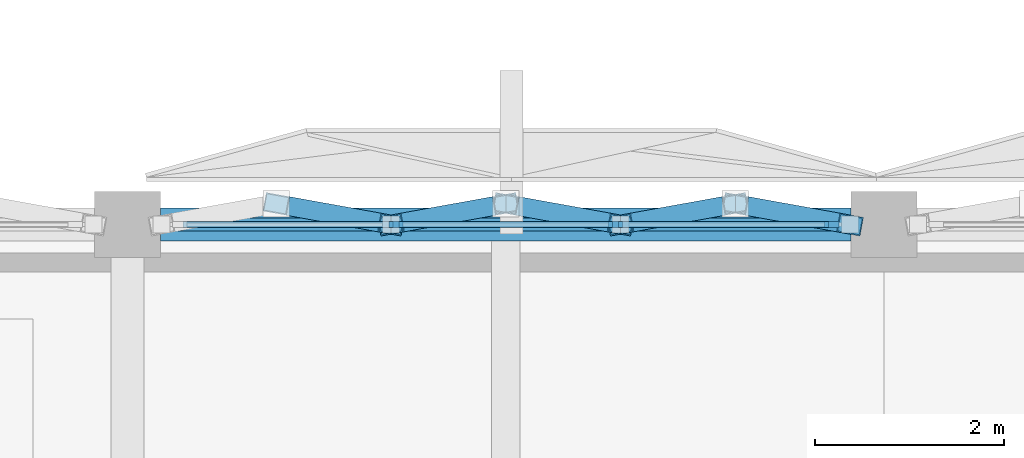
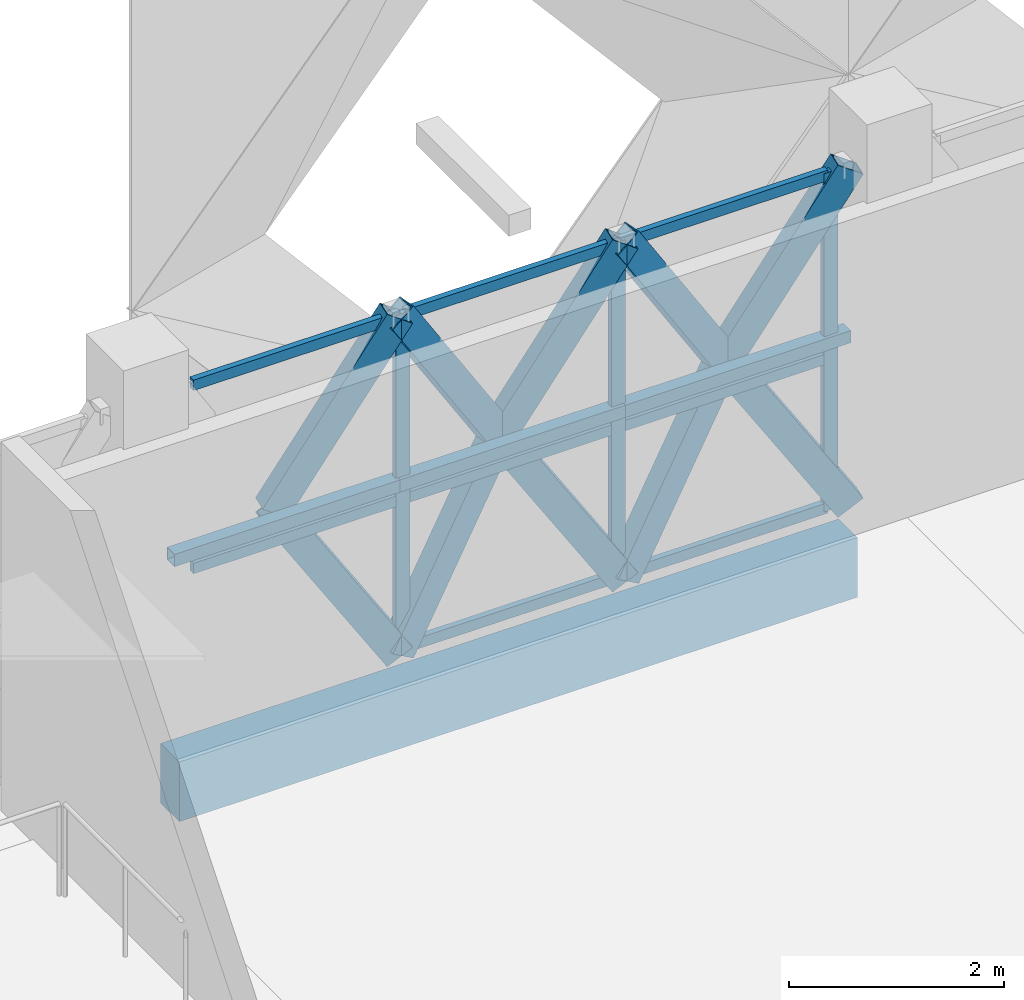
# One storey, part 10 of 37: 24 members, 1 beam, 1 element without a shape of its own.
"""IFC4 building model written with IfcOpenShell, lengths in metres."""

from ifc_helpers import new_model, si_unit, direction, frame, origin, origin_2d, place, context, subcontext, project, spatial, rectangle, hollow_rectangle, extrude, material, layer, layer_set, material_profile, profile_set, type_object, element, aggregate, save


model = new_model("IFC4")

# Units and contexts
model_context = context("Model", 3, precision=1e-05, world=origin(), true_north=direction((0.0, 1.0)))
body_context = subcontext(model_context, "Body", "Model", "MODEL_VIEW")
ifc_project = project(units=[si_unit("LENGTHUNIT", "METRE"), si_unit("AREAUNIT", "SQUARE_METRE"), si_unit("VOLUMEUNIT", "CUBIC_METRE"), si_unit("PLANEANGLEUNIT", "RADIAN"), si_unit("MASSUNIT", "GRAM", prefix="KILO")], contexts=[model_context])

# Site, building, storey
site_placement = place(None, origin())
site = spatial("IfcSite", under=ifc_project, at=site_placement, CompositionType="ELEMENT")
building_placement = place(site_placement, origin())
building = spatial("IfcBuilding", under=site, at=building_placement, Name="Qorikala Patio Media Centre", CompositionType="ELEMENT")
storey_placement = place(building_placement, frame((0.0, 0.0, 14.39990234375)))
storey = spatial("IfcBuildingStorey", under=building, at=storey_placement, Name="L03", CompositionType="ELEMENT", Elevation=14.39990234375)

# Members
ifc_material_1 = material(Name="Golden Bronze Coated Steel S355", Category="steel")
ifc_material_profile_1 = material_profile(ifc_material_1, hollow_rectangle(XDim=0.139892578125, YDim=0.139892578125, WallThickness=0.006103515625, at=origin_2d()), Name="HSS140X140X6")
ifc_profile_set_1 = profile_set([ifc_material_profile_1], Name="Golden Bronze Coated Steel S355")
member_type_1 = type_object("IfcMemberType", Name="BRACE-DIA140", PredefinedType="BRACE", material=ifc_profile_set_1)
member_1_placement = place(storey_placement, frame((59.360107421875, 27.0, 1.925048828125), z_axis=(1.0, 0.0, 0.0), x_axis=(0.0, 1.0, 0.0)))
element("IfcMember", 1, at=member_1_placement, inside=storey, type_object=member_type_1, Name="L03 Diamond Fold Tie 094", PredefinedType="BRACE", context=body_context, shape_type="SweptSolid", body=[
    extrude(hollow_rectangle(XDim=0.139892578125, YDim=0.139892578125, WallThickness=0.006103515625, at=origin_2d()), origin(), (0.0, 0.0, 1.0), 2.426513671875),
])
member_2_placement = place(storey_placement, frame((61.78662109375, 27.0, 1.925048828125), z_axis=(1.0, 0.0, 0.0), x_axis=(0.0, 1.0, 0.0)))
element("IfcMember", 2, at=member_2_placement, inside=storey, type_object=member_type_1, Name="L03 Diamond Fold Tie 095", PredefinedType="BRACE", context=body_context, shape_type="SweptSolid", body=[
    extrude(hollow_rectangle(XDim=0.139892578125, YDim=0.139892578125, WallThickness=0.006103515625, at=origin_2d()), origin(), (0.0, 0.0, 1.0), 2.4267578125),
])
member_3_placement = place(storey_placement, frame((64.21337890625, 27.0, 1.925048828125), z_axis=(1.0, 0.0, 0.0), x_axis=(0.0, 1.0, 0.0)))
element("IfcMember", 3, at=member_3_placement, inside=storey, type_object=member_type_1, Name="L03 Diamond Fold Tie 096", PredefinedType="BRACE", context=body_context, shape_type="SweptSolid", body=[
    extrude(hollow_rectangle(XDim=0.139892578125, YDim=0.139892578125, WallThickness=0.006103515625, at=origin_2d()), origin(), (0.0, 0.0, 1.0), 2.426513671875),
])

# Curtain wall, members
ifc_material_2 = material(Name="Golden Bronze Anodised Aluminium and Low-E Glass", Category="aluminium")
ifc_layer = layer(ifc_material_2, 0.159912109375)
ifc_layer_set = layer_set([ifc_layer], Name="Golden Bronze Anodised Aluminium and Low-E Glass")
curtain_wall_type = type_object("IfcCurtainWallType", Name="CW-DIA-696X385", PredefinedType="USERDEFINED", material=ifc_layer_set)
curtain_wall_placement = place(storey_placement, origin())
curtain_wall = element("IfcCurtainWall", 4, at=curtain_wall_placement, inside=storey, type_object=curtain_wall_type, Name="L03 Courtyard Curtain Wall 073", ObjectType="COURTYARD CURTAIN WALL", PredefinedType="USERDEFINED")
ifc_material_3 = material(Name="Golden Bronze Anodised Aluminium", Category="aluminium")
ifc_material_profile_2 = material_profile(ifc_material_3, rectangle(XDim=0.06494140625, YDim=0.14990234375, at=origin_2d()), Name="ALU MULLION 65x150")
ifc_profile_set_2 = profile_set([ifc_material_profile_2], Name="Golden Bronze Anodised Aluminium")
member_type_2 = type_object("IfcMemberType", Name="CWM-65X150", PredefinedType="MULLION", material=ifc_profile_set_2)
member_4_placement = place(storey_placement, frame((61.840087890625, 27.0, 0.0), z_axis=(0.0, 0.0, 1.0), x_axis=(0.0, 1.0, 0.0)))
member_4 = element("IfcMember", 5, at=member_4_placement, type_object=member_type_2, Name="CWD696385 mullion 2", PredefinedType="MULLION", context=body_context, shape_type="SweptSolid", body=[
    extrude(rectangle(XDim=0.06494140625, YDim=0.14990234375, at=origin_2d()), origin(), (0.0, 0.0, 1.0), 3.85009765625),
])
member_5_placement = place(storey_placement, frame((64.159912109375, 27.0, 0.0), z_axis=(0.0, 0.0, 1.0), x_axis=(0.0, 1.0, 0.0)))
member_5 = element("IfcMember", 6, at=member_5_placement, type_object=member_type_2, Name="CWD696385 mullion 3", PredefinedType="MULLION", context=body_context, shape_type="SweptSolid", body=[
    extrude(rectangle(XDim=0.06494140625, YDim=0.14990234375, at=origin_2d()), origin(), (0.0, 0.0, 1.0), 3.85009765625),
])
member_6_placement = place(storey_placement, frame((66.447509765625, 27.0, 0.0), z_axis=(0.0, 0.0, 1.0), x_axis=(0.0, 1.0, 0.0)))
member_6 = element("IfcMember", 7, at=member_6_placement, type_object=member_type_2, Name="CWD696385 mullion 4", PredefinedType="MULLION", context=body_context, shape_type="SweptSolid", body=[
    extrude(rectangle(XDim=0.06494140625, YDim=0.14990234375, at=origin_2d()), origin(), (0.0, 0.0, 1.0), 3.85009765625),
])
ifc_material_profile_3 = material_profile(ifc_material_3, rectangle(XDim=0.06494140625, YDim=0.1201171875, at=origin_2d()), Name="ALU TRANSOM 65x120")
ifc_profile_set_3 = profile_set([ifc_material_profile_3], Name="Golden Bronze Anodised Aluminium")
member_type_3 = type_object("IfcMemberType", Name="CWT-65X120", PredefinedType="USERDEFINED", material=ifc_profile_set_3)
member_7_placement = place(storey_placement, frame((59.5849609375, 27.0, 1.732666015625), z_axis=(1.0, 0.0, 0.0), x_axis=(0.0, 1.0, 0.0)))
member_7 = element("IfcMember", 8, at=member_7_placement, type_object=member_type_3, Name="CWD696385 transom 1.2", ObjectType="TRANSOM", PredefinedType="USERDEFINED", context=body_context, shape_type="SweptSolid", body=[
    extrude(rectangle(XDim=0.06494140625, YDim=0.1201171875, at=origin_2d()), origin(), (0.0, 0.0, 1.0), 2.22265625),
])
member_8_placement = place(storey_placement, frame((59.5849609375, 27.0, 3.817626953125), z_axis=(1.0, 0.0, 0.0), x_axis=(0.0, 1.0, 0.0)))
member_8 = element("IfcMember", 9, at=member_8_placement, type_object=member_type_3, Name="CWD696385 transom 1.3", ObjectType="TRANSOM", PredefinedType="USERDEFINED", context=body_context, shape_type="SweptSolid", body=[
    extrude(rectangle(XDim=0.06494140625, YDim=0.1201171875, at=origin_2d()), origin(), (0.0, 0.0, 1.0), 2.22265625),
])
member_9_placement = place(storey_placement, frame((61.87255859375, 27.0, 0.03271484375), z_axis=(1.0, 0.0, 0.0), x_axis=(0.0, 1.0, 0.0)))
member_9 = element("IfcMember", 10, at=member_9_placement, type_object=member_type_3, Name="CWD696385 transom 2.1", ObjectType="TRANSOM", PredefinedType="USERDEFINED", context=body_context, shape_type="SweptSolid", body=[
    extrude(rectangle(XDim=0.06494140625, YDim=0.1201171875, at=origin_2d()), origin(), (0.0, 0.0, 1.0), 2.2548828125),
])
member_10_placement = place(storey_placement, frame((61.87255859375, 27.0, 1.732666015625), z_axis=(1.0, 0.0, 0.0), x_axis=(0.0, 1.0, 0.0)))
member_10 = element("IfcMember", 11, at=member_10_placement, type_object=member_type_3, Name="CWD696385 transom 2.2", ObjectType="TRANSOM", PredefinedType="USERDEFINED", context=body_context, shape_type="SweptSolid", body=[
    extrude(rectangle(XDim=0.06494140625, YDim=0.1201171875, at=origin_2d()), origin(), (0.0, 0.0, 1.0), 2.2548828125),
])
member_11_placement = place(storey_placement, frame((61.87255859375, 27.0, 3.817626953125), z_axis=(1.0, 0.0, 0.0), x_axis=(0.0, 1.0, 0.0)))
member_11 = element("IfcMember", 12, at=member_11_placement, type_object=member_type_3, Name="CWD696385 transom 2.3", ObjectType="TRANSOM", PredefinedType="USERDEFINED", context=body_context, shape_type="SweptSolid", body=[
    extrude(rectangle(XDim=0.06494140625, YDim=0.1201171875, at=origin_2d()), origin(), (0.0, 0.0, 1.0), 2.2548828125),
])
member_12_placement = place(storey_placement, frame((64.1923828125, 27.0, 0.03271484375), z_axis=(1.0, 0.0, 0.0), x_axis=(0.0, 1.0, 0.0)))
member_12 = element("IfcMember", 13, at=member_12_placement, type_object=member_type_3, Name="CWD696385 transom 3.1", ObjectType="TRANSOM", PredefinedType="USERDEFINED", context=body_context, shape_type="SweptSolid", body=[
    extrude(rectangle(XDim=0.06494140625, YDim=0.1201171875, at=origin_2d()), origin(), (0.0, 0.0, 1.0), 2.22265625),
])
member_13_placement = place(storey_placement, frame((64.1923828125, 27.0, 1.732666015625), z_axis=(1.0, 0.0, 0.0), x_axis=(0.0, 1.0, 0.0)))
member_13 = element("IfcMember", 14, at=member_13_placement, type_object=member_type_3, Name="CWD696385 transom 3.2", ObjectType="TRANSOM", PredefinedType="USERDEFINED", context=body_context, shape_type="SweptSolid", body=[
    extrude(rectangle(XDim=0.06494140625, YDim=0.1201171875, at=origin_2d()), origin(), (0.0, 0.0, 1.0), 2.22265625),
])
member_14_placement = place(storey_placement, frame((64.1923828125, 27.0, 3.817626953125), z_axis=(1.0, 0.0, 0.0), x_axis=(0.0, 1.0, 0.0)))
member_14 = element("IfcMember", 15, at=member_14_placement, type_object=member_type_3, Name="CWD696385 transom 3.3", ObjectType="TRANSOM", PredefinedType="USERDEFINED", context=body_context, shape_type="SweptSolid", body=[
    extrude(rectangle(XDim=0.06494140625, YDim=0.1201171875, at=origin_2d()), origin(), (0.0, 0.0, 1.0), 2.22265625),
])
aggregate(curtain_wall, [member_4, member_5, member_6, member_7, member_8, member_9, member_10, member_11, member_12, member_13, member_14])

# Beam
ifc_material_4 = material(Name="Concrete C35/45", Category="concrete")
ifc_material_profile_4 = material_profile(ifc_material_4, rectangle(XDim=0.35009765625, YDim=0.679931640625, at=origin_2d()), Name="RC 350x680")
ifc_profile_set_4 = profile_set([ifc_material_profile_4], Name="Concrete C35/45")
beam_type = type_object("IfcBeamType", Name="SP-350X680", PredefinedType="SPANDREL", material=ifc_profile_set_4)
beam_placement = place(storey_placement, frame((59.35009765625, 27.0, -0.639892578125), z_axis=(1.0, 0.0, 0.0), x_axis=(0.0, 1.0, 0.0)))
element("IfcBeam", 16, at=beam_placement, inside=storey, type_object=beam_type, Name="L03 Grid 27 Beam 1141", PredefinedType="SPANDREL", context=body_context, shape_type="SweptSolid", body=[
    extrude(rectangle(XDim=0.35009765625, YDim=0.679931640625, at=origin_2d()), origin(), (0.0, 0.0, 1.0), 7.2998046875),
])

# Members
ifc_material_profile_5 = material_profile(ifc_material_1, hollow_rectangle(XDim=0.199951171875, YDim=0.300048828125, WallThickness=0.011962890625, at=origin_2d()), Name="HSS300X200X12")
ifc_profile_set_5 = profile_set([ifc_material_profile_5], Name="Golden Bronze Coated Steel S355")
member_type_4 = type_object("IfcMemberType", Name="STRUT-DIA300", PredefinedType="STRUT", material=ifc_profile_set_5)
for number, where, z_axis, x_axis, name in (
    (17, (61.78662109375, 27.0, 0.0), (-0.530768093717, 0.095901357778, 0.842073726148), (-0.177805036072, -0.98406573416, 0.0), "L03 Diamond Foyer Fold Strut 094-DL2"),
    (18, (60.5732421875, 27.21923828125, 1.925048828125), (0.530768093717, -0.095901357778, 0.842073726148), (0.177805036072, 0.98406573416, 0.0), "L03 Diamond Foyer Fold Strut 094-DU2"),
    (19, (61.78662109375, 27.0, 0.0), (0.530768093717, 0.095901357778, 0.842073726148), (-0.177805036072, 0.98406573416, 0.0), "L03 Diamond Foyer Fold Strut 095-DL1"),
    (20, (64.21337890625, 27.0, 0.0), (-0.530768093717, 0.095901357778, 0.842073726148), (-0.177805036072, -0.98406573416, 0.0), "L03 Diamond Foyer Fold Strut 095-DL2"),
    (21, (63.0, 27.21923828125, 1.925048828125), (-0.530768093717, -0.095901357778, 0.842073726148), (0.177805036072, -0.98406573416, 0.0), "L03 Diamond Foyer Fold Strut 095-DU1"),
    (22, (63.0, 27.21923828125, 1.925048828125), (0.530768093717, -0.095901357778, 0.842073726148), (0.177805036072, 0.98406573416, 0.0), "L03 Diamond Foyer Fold Strut 095-DU2"),
    (23, (64.21337890625, 27.0, 0.0), (0.530768093717, 0.095901357778, 0.842073726148), (-0.177805036072, 0.98406573416, 0.0), "L03 Diamond Foyer Fold Strut 096-DL1"),
):
    element("IfcMember", number, at=place(storey_placement, frame(where, z_axis=z_axis, x_axis=x_axis)), inside=storey, type_object=member_type_4, Name=name, PredefinedType="STRUT", context=body_context, shape_type="SweptSolid", body=[
        extrude(hollow_rectangle(XDim=0.199951171875, YDim=0.300048828125, WallThickness=0.011962890625, at=origin_2d()), origin(), (0.0, 0.0, 1.0), 2.2861328125),
    ])
member_15_placement = place(storey_placement, frame((66.639892578125, 27.0, 0.0), z_axis=(-0.530691378365, 0.095906793675, 0.842121456713), x_axis=(-0.17783968734, -0.984059472596, 0.0)))
element("IfcMember", 24, at=member_15_placement, inside=storey, type_object=member_type_4, Name="L03 Diamond Foyer Fold Strut 096-DL2", PredefinedType="STRUT", context=body_context, shape_type="SweptSolid", body=[
    extrude(hollow_rectangle(XDim=0.199951171875, YDim=0.300048828125, WallThickness=0.011962890625, at=origin_2d()), origin(), (0.0, 0.0, 1.0), 2.285888671875),
])
member_16_placement = place(storey_placement, frame((65.4267578125, 27.21923828125, 1.925048828125), z_axis=(-0.530768093717, -0.095901357778, 0.842073726148), x_axis=(0.177805036072, -0.98406573416, 0.0)))
element("IfcMember", 25, at=member_16_placement, inside=storey, type_object=member_type_4, Name="L03 Diamond Foyer Fold Strut 096-DU1", PredefinedType="STRUT", context=body_context, shape_type="SweptSolid", body=[
    extrude(hollow_rectangle(XDim=0.199951171875, YDim=0.300048828125, WallThickness=0.011962890625, at=origin_2d()), origin(), (0.0, 0.0, 1.0), 2.2861328125),
])
member_17_placement = place(storey_placement, frame((65.4267578125, 27.21923828125, 1.925048828125), z_axis=(0.530691378365, -0.095906793675, 0.842121456713), x_axis=(0.17783968734, 0.984059472596, 0.0)))
element("IfcMember", 26, at=member_17_placement, inside=storey, type_object=member_type_4, Name="L03 Diamond Foyer Fold Strut 096-DU2", PredefinedType="STRUT", context=body_context, shape_type="SweptSolid", body=[
    extrude(hollow_rectangle(XDim=0.199951171875, YDim=0.300048828125, WallThickness=0.011962890625, at=origin_2d()), origin(), (0.0, 0.0, 1.0), 2.285888671875),
])

save(model, "model.ifc")
